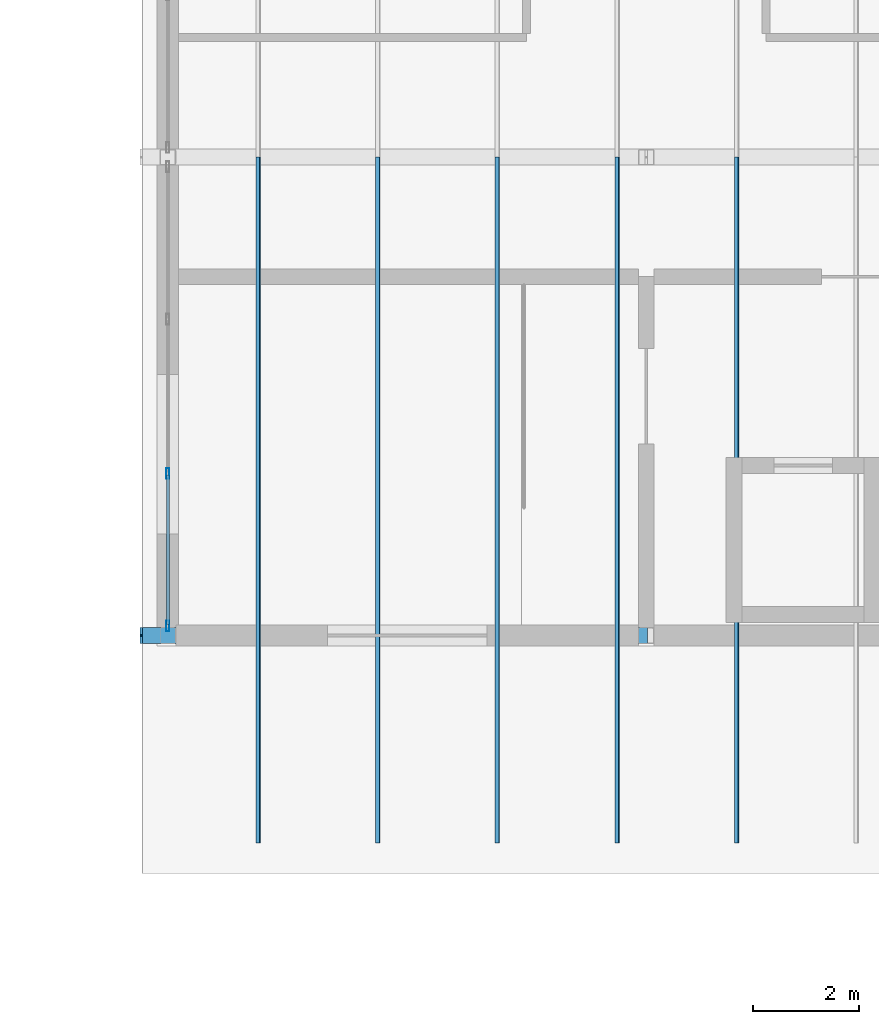
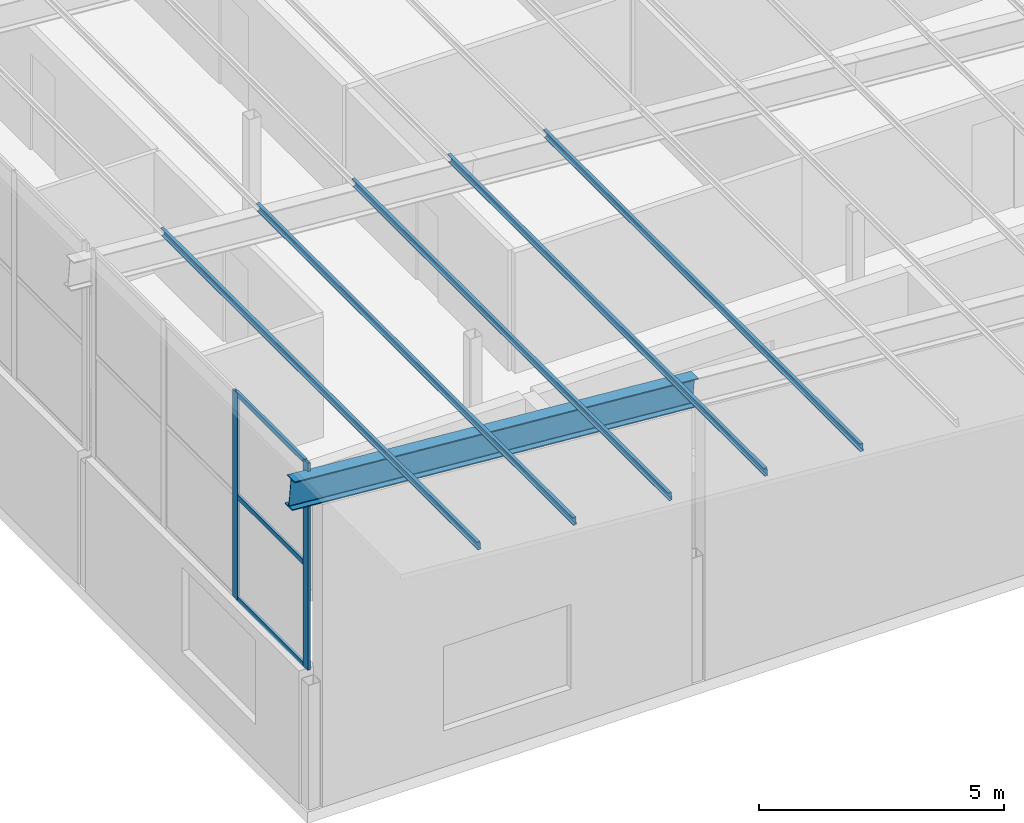
# One storey, part 22 of 85: 11 members, 1 element without a shape of its own.
"""IFC4 building model written with IfcOpenShell, lengths in metres."""

from ifc_helpers import new_model, si_unit, direction, frame, origin, origin_2d, place, context, subcontext, project, spatial, polyline, hollow_rectangle, i_section, outline, extrude, material, layer, layer_set, material_profile, profile_set, type_object, element, aggregate, save


model = new_model("IFC4")

# Units and contexts
model_context = context("Model", 3, precision=1e-05, world=origin(), true_north=direction((0.0, 1.0)))
body_context = subcontext(model_context, "Body", "Model", "MODEL_VIEW")
ifc_project = project(units=[si_unit("LENGTHUNIT", "METRE"), si_unit("AREAUNIT", "SQUARE_METRE"), si_unit("VOLUMEUNIT", "CUBIC_METRE"), si_unit("PLANEANGLEUNIT", "RADIAN"), si_unit("MASSUNIT", "GRAM", prefix="KILO")], contexts=[model_context])

# Site, building, storey
site_placement = place(None, origin())
site = spatial("IfcSite", under=ifc_project, at=site_placement, CompositionType="ELEMENT")
building_placement = place(site_placement, origin())
building = spatial("IfcBuilding", under=site, at=building_placement, Name="Opaline Strait Convention Centre", CompositionType="ELEMENT")
storey_placement = place(building_placement, frame((0.0, 0.0, 17.0)))
storey = spatial("IfcBuildingStorey", under=building, at=storey_placement, Name="L03", CompositionType="ELEMENT", Elevation=17.0)

# Curtain wall, members
ifc_material_1 = material(Name="Aluminium framed double glazing", Category="aluminium")
ifc_layer = layer(ifc_material_1, 0.199951171875)
ifc_layer_set = layer_set([ifc_layer], Name="Aluminium framed double glazing")
curtain_wall_type = type_object("IfcCurtainWallType", Name="Curtain wall 3000 module unitised", PredefinedType="NOTDEFINED", material=ifc_layer_set)
curtain_wall_placement = place(storey_placement, origin())
curtain_wall = element("IfcCurtainWall", 1, at=curtain_wall_placement, inside=storey, type_object=curtain_wall_type, Name="Clerestory curtain wall W L03 32/L", PredefinedType="NOTDEFINED")
ifc_material_2 = material(Name="Aluminium alloy 6063", Category="aluminium")
ifc_material_profile_1 = material_profile(ifc_material_2, hollow_rectangle(XDim=0.06005859375, YDim=0.199951171875, WallThickness=0.00390625, at=origin_2d()), Name="MULLION 60x200x4")
ifc_profile_set_1 = profile_set([ifc_material_profile_1], Name="Aluminium alloy 6063")
member_type_1 = type_object("IfcMemberType", Name="Curtain wall mullion 60 x 200", PredefinedType="MULLION", material=ifc_profile_set_1)
member_1_placement = place(storey_placement, frame((279.0, 90.179931640625, 3.300048828125), z_axis=(0.0, 0.0, 1.0), x_axis=(-1.0, 0.0, 0.0)))
member_1 = element("IfcMember", 2, at=member_1_placement, type_object=member_type_1, Name="MCWR1 mullion 1", PredefinedType="MULLION", context=body_context, shape_type="SweptSolid", body=[
    extrude(hollow_rectangle(XDim=0.06005859375, YDim=0.199951171875, WallThickness=0.00390625, at=origin_2d()), origin(), (0.0, 0.0, 1.0), 5.144287109375),
])
member_2_placement = place(storey_placement, frame((279.0, 93.050048828125, 3.300048828125), z_axis=(0.0, 0.0, 1.0), x_axis=(-1.0, 0.0, 0.0)))
member_2 = element("IfcMember", 3, at=member_2_placement, type_object=member_type_1, Name="MCWR1 mullion 2", PredefinedType="MULLION", context=body_context, shape_type="SweptSolid", body=[
    extrude(hollow_rectangle(XDim=0.06005859375, YDim=0.199951171875, WallThickness=0.00390625, at=origin_2d()), origin(), (0.0, 0.0, 1.0), 5.144287109375),
])
ifc_material_profile_2 = material_profile(ifc_material_2, hollow_rectangle(XDim=0.06005859375, YDim=0.1201171875, WallThickness=0.0029296875, at=origin_2d()), Name="TRANSOM 60x120x3")
ifc_profile_set_2 = profile_set([ifc_material_profile_2], Name="Aluminium alloy 6063")
member_type_2 = type_object("IfcMemberType", Name="Curtain wall transom 60 x 120", PredefinedType="USERDEFINED", material=ifc_profile_set_2)
member_3_placement = place(storey_placement, frame((279.0, 90.2099609375, 3.330078125), z_axis=(0.0, 1.0, 0.0), x_axis=(-1.0, 0.0, 0.0)))
member_3 = element("IfcMember", 4, at=member_3_placement, type_object=member_type_2, Name="MCWR1 transom 1.1", ObjectType="TRANSOM", PredefinedType="USERDEFINED", context=body_context, shape_type="SweptSolid", body=[
    extrude(hollow_rectangle(XDim=0.06005859375, YDim=0.1201171875, WallThickness=0.0029296875, at=origin_2d()), origin(), (0.0, 0.0, 1.0), 2.81005859375),
])
member_4_placement = place(storey_placement, frame((279.0, 90.2099609375, 5.872314453125), z_axis=(0.0, 1.0, 0.0), x_axis=(-1.0, 0.0, 0.0)))
member_4 = element("IfcMember", 5, at=member_4_placement, type_object=member_type_2, Name="MCWR1 transom 1.2", ObjectType="TRANSOM", PredefinedType="USERDEFINED", context=body_context, shape_type="SweptSolid", body=[
    extrude(hollow_rectangle(XDim=0.06005859375, YDim=0.1201171875, WallThickness=0.0029296875, at=origin_2d()), origin(), (0.0, 0.0, 1.0), 2.81005859375),
])
member_5_placement = place(storey_placement, frame((279.0, 90.2099609375, 8.414306640625), z_axis=(0.0, 1.0, 0.0), x_axis=(-1.0, 0.0, 0.0)))
member_5 = element("IfcMember", 6, at=member_5_placement, type_object=member_type_2, Name="MCWR1 transom 1.3", ObjectType="TRANSOM", PredefinedType="USERDEFINED", context=body_context, shape_type="SweptSolid", body=[
    extrude(hollow_rectangle(XDim=0.06005859375, YDim=0.1201171875, WallThickness=0.0029296875, at=origin_2d()), origin(), (0.0, 0.0, 1.0), 2.81005859375),
])
aggregate(curtain_wall, [member_1, member_2, member_3, member_4, member_5])

# Members
ifc_material_3 = material(Name="Steel Q355B", Category="steel")
ifc_material_profile_3 = material_profile(ifc_material_3, outline(polyline([(-0.034912109375, -0.10009765625), (0.034912109375, -0.10009765625), (0.034912109375, -0.080078125), (0.032470703125, -0.080078125), (0.032470703125, -0.097412109375), (-0.032470703125, -0.097412109375), (-0.032470703125, 0.097412109375), (0.032470703125, 0.097412109375), (0.032470703125, 0.080078125), (0.034912109375, 0.080078125), (0.034912109375, 0.10009765625), (-0.034912109375, 0.10009765625), (-0.034912109375, -0.10009765625)])), Name="C 200x70x20x2.5")
ifc_profile_set_3 = profile_set([ifc_material_profile_3], Name="Steel Q355B")
member_type_3 = type_object("IfcMemberType", Name="Roof purlin C 200x70x20x2.5", PredefinedType="PURLIN", material=ifc_profile_set_3)
for number, where, z_axis, x_axis, name in (
    (7, (289.699951171875, 86.10009765625, 7.501953125), (0.0, 1.0, 0.0), (-0.996917333733, 0.0, -0.078459095728), "MRP1 purlin W wing 161"),
    (8, (287.449951171875, 86.10009765625, 7.678955078125), (0.0, 1.0, 0.0), (-0.996917333733, 0.0, -0.078459095728), "MRP1 purlin W wing 171"),
    (9, (285.199951171875, 86.10009765625, 7.856201171875), (0.0, 1.0, 0.0), (-0.996917333733, 0.0, -0.078459095728), "MRP1 purlin W wing 181"),
    (10, (282.949951171875, 86.10009765625, 8.033203125), (0.0, 1.0, 0.0), (-0.996917333733, 0.0, -0.078459095728), "MRP1 purlin W wing 191"),
    (11, (280.699951171875, 86.10009765625, 8.210205078125), (0.0, 1.0, 0.0), (-0.996917333733, 0.0, -0.078459095728), "MRP1 purlin W wing 201"),
):
    element("IfcMember", number, at=place(storey_placement, frame(where, z_axis=z_axis, x_axis=x_axis)), inside=storey, type_object=member_type_3, Name=name, PredefinedType="PURLIN", context=body_context, shape_type="SweptSolid", body=[
        extrude(outline(polyline([(-0.034912109375, -0.10009765625), (0.034912109375, -0.10009765625), (0.034912109375, -0.080078125), (0.032470703125, -0.080078125), (0.032470703125, -0.097412109375), (-0.032470703125, -0.097412109375), (-0.032470703125, 0.097412109375), (0.032470703125, 0.097412109375), (0.032470703125, 0.080078125), (0.034912109375, 0.080078125), (0.034912109375, 0.10009765625), (-0.034912109375, 0.10009765625), (-0.034912109375, -0.10009765625)])), origin(), (0.0, 0.0, 1.0), 12.89990234375),
    ])
ifc_material_profile_4 = material_profile(ifc_material_3, i_section(OverallWidth=0.300048828125, OverallDepth=0.699951171875, WebThickness=0.012939453125, FlangeThickness=0.02392578125, FilletRadius=0.01806640625, at=origin_2d()), Name="HN 700x300x13x24")
ifc_profile_set_4 = profile_set([ifc_material_profile_4], Name="Steel Q355B")
member_type_4 = type_object("IfcMemberType", Name="Roof rafter HN 700x300x13x24", PredefinedType="RAFTER", material=ifc_profile_set_4)
member_6_placement = place(storey_placement, frame((278.5, 90.0, 7.93212890625), z_axis=(0.996916213079, 0.0, -0.078473333693), x_axis=(0.0, 1.0, 0.0)))
element("IfcMember", 12, at=member_6_placement, inside=storey, type_object=member_type_4, Name="MRR1 rafter y 90", PredefinedType="RAFTER", context=body_context, shape_type="SweptSolid", body=[
    extrude(i_section(OverallWidth=0.300048828125, OverallDepth=0.699951171875, WebThickness=0.012939453125, FlangeThickness=0.02392578125, FilletRadius=0.01806640625, at=origin_2d()), origin(), (0.0, 0.0, 1.0), 9.529296875),
])

save(model, "model.ifc")
